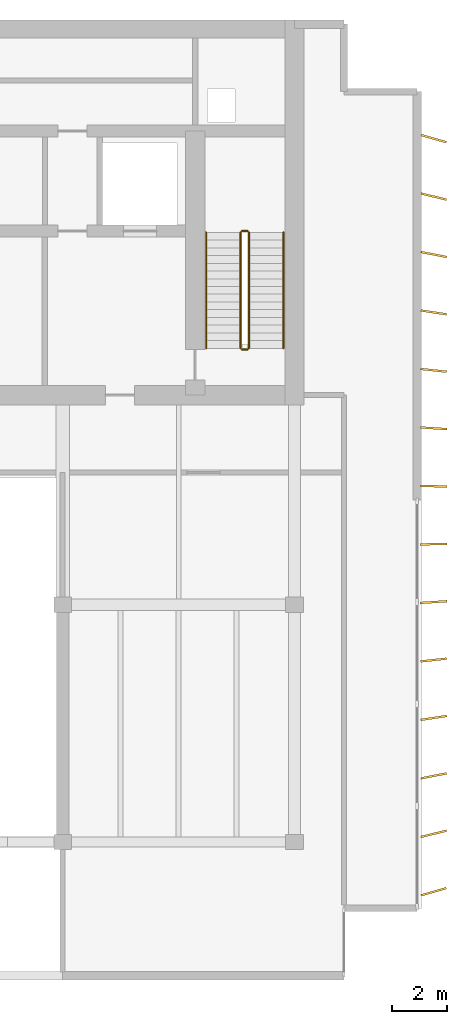
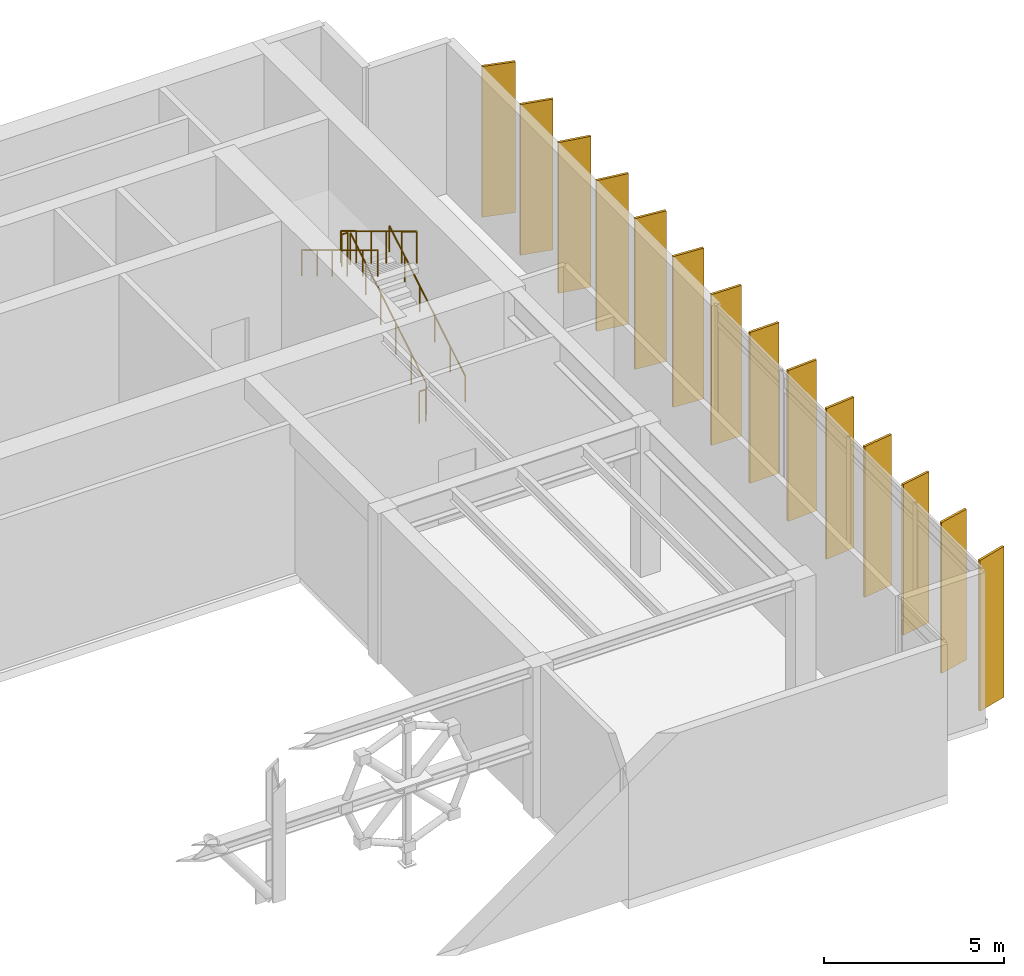
# One storey, part 10 of 10: 14 shading devices, 6 railings.
"""IFC4 building model written with IfcOpenShell, lengths in metres."""

from ifc_helpers import new_model, si_unit, direction, frame, origin, origin_2d, place, context, subcontext, project, spatial, rectangle, circle, extrude, material, material_profile, profile_set, type_object, element, save


model = new_model("IFC4")

# Units and contexts
model_context = context("Model", 3, precision=1e-05, world=origin(), true_north=direction((0.0, 1.0)))
body_context = subcontext(model_context, "Body", "Model", "MODEL_VIEW")
ifc_project = project(units=[si_unit("LENGTHUNIT", "METRE"), si_unit("AREAUNIT", "SQUARE_METRE"), si_unit("VOLUMEUNIT", "CUBIC_METRE"), si_unit("PLANEANGLEUNIT", "RADIAN"), si_unit("MASSUNIT", "GRAM", prefix="KILO")], contexts=[model_context])

# Site, building, storey
site_placement = place(None, origin())
site = spatial("IfcSite", under=ifc_project, at=site_placement, CompositionType="ELEMENT")
building_placement = place(site_placement, origin())
building = spatial("IfcBuilding", under=site, at=building_placement, Name="Caelmar Bay Residences", CompositionType="ELEMENT")
storey_placement = place(building_placement, frame((0.0, 0.0, 284.800048828125)))
storey = spatial("IfcBuildingStorey", under=building, at=storey_placement, Name="L79", CompositionType="ELEMENT", Elevation=284.800048828125)

# Railings
ifc_material_1 = material(Name="Painted galvanized steel stair guard 1100 mm", Category="steel")
railing_type_1 = type_object("IfcRailingType", Name="RL-GRD-1100", PredefinedType="GUARDRAIL", material=ifc_material_1)
railing_1_placement = place(storey_placement, frame((57.85009765625, 38.699951171875, 0.168701171875)))
element("IfcRailing", 1, at=railing_1_placement, inside=storey, type_object=railing_type_1, Name="L79 ST2 stair guard 1", PredefinedType="GUARDRAIL", context=body_context, shape_type="SweptSolid", body=[
    extrude(circle(Radius=0.02392578125, at=origin_2d()), frame((0.0, 0.0, 1.076171875), z_axis=(0.0, 0.856476492594, 0.516186030065), x_axis=(-1.0, 0.0, 0.0)), (0.0, 0.0, 1.0), 4.90380859375),
    extrude(circle(Radius=0.02099609375, at=origin_2d()), origin(), (0.0, 0.0, 1.0), 1.052001953125),
    extrude(circle(Radius=0.02099609375, at=origin_2d()), frame((0.0, 0.840087890625, 0.50634765625)), (0.0, 0.0, 1.0), 1.052001953125),
    extrude(circle(Radius=0.02099609375, at=origin_2d()), frame((0.0, 1.679931640625, 1.012451171875)), (0.0, 0.0, 1.0), 1.052001953125),
    extrude(circle(Radius=0.02099609375, at=origin_2d()), frame((0.0, 2.52001953125, 1.518798828125)), (0.0, 0.0, 1.0), 1.052001953125),
    extrude(circle(Radius=0.02099609375, at=origin_2d()), frame((0.0, 3.35986328125, 2.02490234375)), (0.0, 0.0, 1.0), 1.052001953125),
    extrude(circle(Radius=0.02099609375, at=origin_2d()), frame((0.0, 4.199951171875, 2.53125)), (0.0, 0.0, 1.0), 1.052001953125),
])
railing_2_placement = place(storey_placement, frame((57.800048828125, 42.949951171875, 2.699951171875)))
element("IfcRailing", 2, at=railing_2_placement, inside=storey, type_object=railing_type_1, Name="L79 ST2 stair guard 2", PredefinedType="GUARDRAIL", context=body_context, shape_type="SweptSolid", body=[
    extrude(circle(Radius=0.02392578125, at=origin_2d()), frame((0.0, 0.0, 1.076171875), z_axis=(-1.0, 0.0, 0.0), x_axis=(0.0, -1.0, 0.0)), (0.0, 0.0, 1.0), 0.199951171875),
    extrude(circle(Radius=0.02099609375, at=origin_2d()), origin(), (0.0, 0.0, 1.0), 1.052001953125),
    extrude(circle(Radius=0.02099609375, at=origin_2d()), frame((-0.199951171875, 0.0, 0.0)), (0.0, 0.0, 1.0), 1.052001953125),
])
railing_3_placement = place(storey_placement, frame((57.550048828125, 42.89990234375, 2.86865234375)))
element("IfcRailing", 3, at=railing_3_placement, inside=storey, type_object=railing_type_1, Name="L79 ST2 stair guard 3", PredefinedType="GUARDRAIL", context=body_context, shape_type="SweptSolid", body=[
    extrude(circle(Radius=0.02392578125, at=origin_2d()), frame((0.0, 0.0, 1.076171875), z_axis=(0.0, -0.856476492594, 0.516186030065), x_axis=(1.0, 0.0, 0.0)), (0.0, 0.0, 1.0), 4.90380859375),
    extrude(circle(Radius=0.02099609375, at=origin_2d()), origin(), (0.0, 0.0, 1.0), 1.052001953125),
    extrude(circle(Radius=0.02099609375, at=origin_2d()), frame((0.0, -0.840087890625, 0.50634765625)), (0.0, 0.0, 1.0), 1.052001953125),
    extrude(circle(Radius=0.02099609375, at=origin_2d()), frame((0.0, -1.679931640625, 1.012451171875)), (0.0, 0.0, 1.0), 1.052001953125),
    extrude(circle(Radius=0.02099609375, at=origin_2d()), frame((0.0, -2.52001953125, 1.518798828125)), (0.0, 0.0, 1.0), 1.052001953125),
    extrude(circle(Radius=0.02099609375, at=origin_2d()), frame((0.0, -3.35986328125, 2.02490234375)), (0.0, 0.0, 1.0), 1.052001953125),
    extrude(circle(Radius=0.02099609375, at=origin_2d()), frame((0.0, -4.199951171875, 2.53125)), (0.0, 0.0, 1.0), 1.052001953125),
])
railing_4_placement = place(storey_placement, frame((57.800048828125, 38.64990234375, 0.0)))
element("IfcRailing", 4, at=railing_4_placement, inside=storey, type_object=railing_type_1, Name="L79 ST2 stair guard 4", PredefinedType="GUARDRAIL", context=body_context, shape_type="SweptSolid", body=[
    extrude(circle(Radius=0.02392578125, at=origin_2d()), frame((0.0, 0.0, 1.076171875), z_axis=(-1.0, 0.0, 0.0), x_axis=(0.0, -1.0, 0.0)), (0.0, 0.0, 1.0), 0.199951171875),
    extrude(circle(Radius=0.02099609375, at=origin_2d()), origin(), (0.0, 0.0, 1.0), 1.052001953125),
    extrude(circle(Radius=0.02099609375, at=origin_2d()), frame((-0.199951171875, 0.0, 0.0)), (0.0, 0.0, 1.0), 1.052001953125),
])
ifc_material_2 = material(Name="Brushed bronze stainless-steel tubular handrail 900 mm", Category="steel")
railing_type_2 = type_object("IfcRailingType", Name="RL-HND-900", PredefinedType="HANDRAIL", material=ifc_material_2)
railing_5_placement = place(storey_placement, frame((59.10009765625, 38.699951171875, 0.168701171875)))
element("IfcRailing", 5, at=railing_5_placement, inside=storey, type_object=railing_type_2, Name="L79 ST2 stair handrail 1", PredefinedType="HANDRAIL", context=body_context, shape_type="SweptSolid", body=[
    extrude(circle(Radius=0.02392578125, at=origin_2d()), frame((0.0, 0.0, 0.8759765625), z_axis=(0.0, 0.856476492594, 0.516186030065), x_axis=(-1.0, 0.0, 0.0)), (0.0, 0.0, 1.0), 4.90380859375),
    extrude(circle(Radius=0.02099609375, at=origin_2d()), origin(), (0.0, 0.0, 1.0), 0.851806640625),
    extrude(circle(Radius=0.02099609375, at=origin_2d()), frame((0.0, 0.840087890625, 0.50634765625)), (0.0, 0.0, 1.0), 0.851806640625),
    extrude(circle(Radius=0.02099609375, at=origin_2d()), frame((0.0, 1.679931640625, 1.012451171875)), (0.0, 0.0, 1.0), 0.851806640625),
    extrude(circle(Radius=0.02099609375, at=origin_2d()), frame((0.0, 2.52001953125, 1.518798828125)), (0.0, 0.0, 1.0), 0.851806640625),
    extrude(circle(Radius=0.02099609375, at=origin_2d()), frame((0.0, 3.35986328125, 2.02490234375)), (0.0, 0.0, 1.0), 0.851806640625),
    extrude(circle(Radius=0.02099609375, at=origin_2d()), frame((0.0, 4.199951171875, 2.53125)), (0.0, 0.0, 1.0), 0.851806640625),
])
railing_6_placement = place(storey_placement, frame((56.300048828125, 42.89990234375, 2.86865234375)))
element("IfcRailing", 6, at=railing_6_placement, inside=storey, type_object=railing_type_2, Name="L79 ST2 stair handrail 2", PredefinedType="HANDRAIL", context=body_context, shape_type="SweptSolid", body=[
    extrude(circle(Radius=0.02392578125, at=origin_2d()), frame((0.0, 0.0, 0.8759765625), z_axis=(0.0, -0.856476492594, 0.516186030065), x_axis=(1.0, 0.0, 0.0)), (0.0, 0.0, 1.0), 4.90380859375),
    extrude(circle(Radius=0.02099609375, at=origin_2d()), origin(), (0.0, 0.0, 1.0), 0.851806640625),
    extrude(circle(Radius=0.02099609375, at=origin_2d()), frame((0.0, -0.840087890625, 0.50634765625)), (0.0, 0.0, 1.0), 0.851806640625),
    extrude(circle(Radius=0.02099609375, at=origin_2d()), frame((0.0, -1.679931640625, 1.012451171875)), (0.0, 0.0, 1.0), 0.851806640625),
    extrude(circle(Radius=0.02099609375, at=origin_2d()), frame((0.0, -2.52001953125, 1.518798828125)), (0.0, 0.0, 1.0), 0.851806640625),
    extrude(circle(Radius=0.02099609375, at=origin_2d()), frame((0.0, -3.35986328125, 2.02490234375)), (0.0, 0.0, 1.0), 0.851806640625),
    extrude(circle(Radius=0.02099609375, at=origin_2d()), frame((0.0, -4.199951171875, 2.53125)), (0.0, 0.0, 1.0), 0.851806640625),
])

# Shading devices
ifc_material_3 = material(Name="Anodised architectural bronze aluminium 6063-T6", Category="aluminium")
ifc_material_profile = material_profile(ifc_material_3, rectangle(XDim=0.074951171875, YDim=0.949951171875, at=origin_2d()), Name="BRONZE-FIN-75X950")
ifc_profile_set = profile_set([ifc_material_profile], Name="Anodised architectural bronze aluminium 6063-T6")
shading_device_type = type_object("IfcShadingDeviceType", Name="SHD-FIN-950", PredefinedType="USERDEFINED", material=ifc_profile_set)
for number, where, z_axis, x_axis, name in (
    (7, (64.550048828125, 19.0, 0.0), (0.0, 0.0, 1.0), (-0.275637355817, 0.961261695938, 0.0), "L79 East Bronze Solar Fin 1"),
    (8, (64.550048828125, 21.10009765625, 0.0), (0.0, 0.0, 1.0), (-0.234124149178, 0.972206707841, 0.0), "L79 East Bronze Solar Fin 2"),
    (9, (64.550048828125, 23.199951171875, 0.0), (0.0, 0.0, 1.0), (-0.192179419046, 0.981359807051, 0.0), "L79 East Bronze Solar Fin 3"),
    (10, (64.550048828125, 25.300048828125, 0.0), (0.0, 0.0, 1.0), (-0.149880475413, 0.988704123128, 0.0), "L79 East Bronze Solar Fin 4"),
    (11, (64.550048828125, 27.39990234375, 0.0), (0.0, 0.0, 1.0), (-0.107131754314, 0.994244832633, 0.0), "L79 East Bronze Solar Fin 5"),
    (12, (64.550048828125, 29.5, 0.0), (0.0, 0.0, 1.0), (-0.064358138139, 0.997926866086, 0.0), "L79 East Bronze Solar Fin 6"),
    (13, (64.550048828125, 31.60009765625, 0.0), (0.0, 0.0, 1.0), (-0.02146590093, 0.999769581002, 0.0), "L79 East Bronze Solar Fin 7"),
    (14, (64.550048828125, 33.699951171875, 0.0), (0.0, 0.0, 1.0), (0.02146590093, 0.999769581002, 0.0), "L79 East Bronze Solar Fin 8"),
    (15, (64.550048828125, 35.800048828125, 0.0), (0.0, 0.0, 1.0), (0.064358138139, 0.997926866086, 0.0), "L79 East Bronze Solar Fin 9"),
    (16, (64.550048828125, 37.89990234375, 0.0), (0.0, 0.0, 1.0), (0.107131754314, 0.994244832633, 0.0), "L79 East Bronze Solar Fin 10"),
    (17, (64.550048828125, 40.0, 0.0), (0.0, 0.0, 1.0), (0.149880475413, 0.988704123128, 0.0), "L79 East Bronze Solar Fin 11"),
    (18, (64.550048828125, 42.10009765625, 0.0), (0.0, 0.0, 1.0), (0.192179419046, 0.981359807051, 0.0), "L79 East Bronze Solar Fin 12"),
    (19, (64.550048828125, 44.199951171875, 0.0), (0.0, 0.0, 1.0), (0.234124149178, 0.972206707841, 0.0), "L79 East Bronze Solar Fin 13"),
    (20, (64.550048828125, 46.300048828125, 0.0), (0.0, 0.0, 1.0), (0.275637355817, 0.961261695938, 0.0), "L79 East Bronze Solar Fin 14"),
):
    element("IfcShadingDevice", number, at=place(storey_placement, frame(where, z_axis=z_axis, x_axis=x_axis)), inside=storey, type_object=shading_device_type, Name=name, ObjectType="FIN", PredefinedType="USERDEFINED", context=body_context, shape_type="SweptSolid", body=[
        extrude(rectangle(XDim=0.074951171875, YDim=0.949951171875, at=origin_2d()), origin(), (0.0, 0.0, 1.0), 5.099853515625),
    ])

save(model, "model.ifc")
